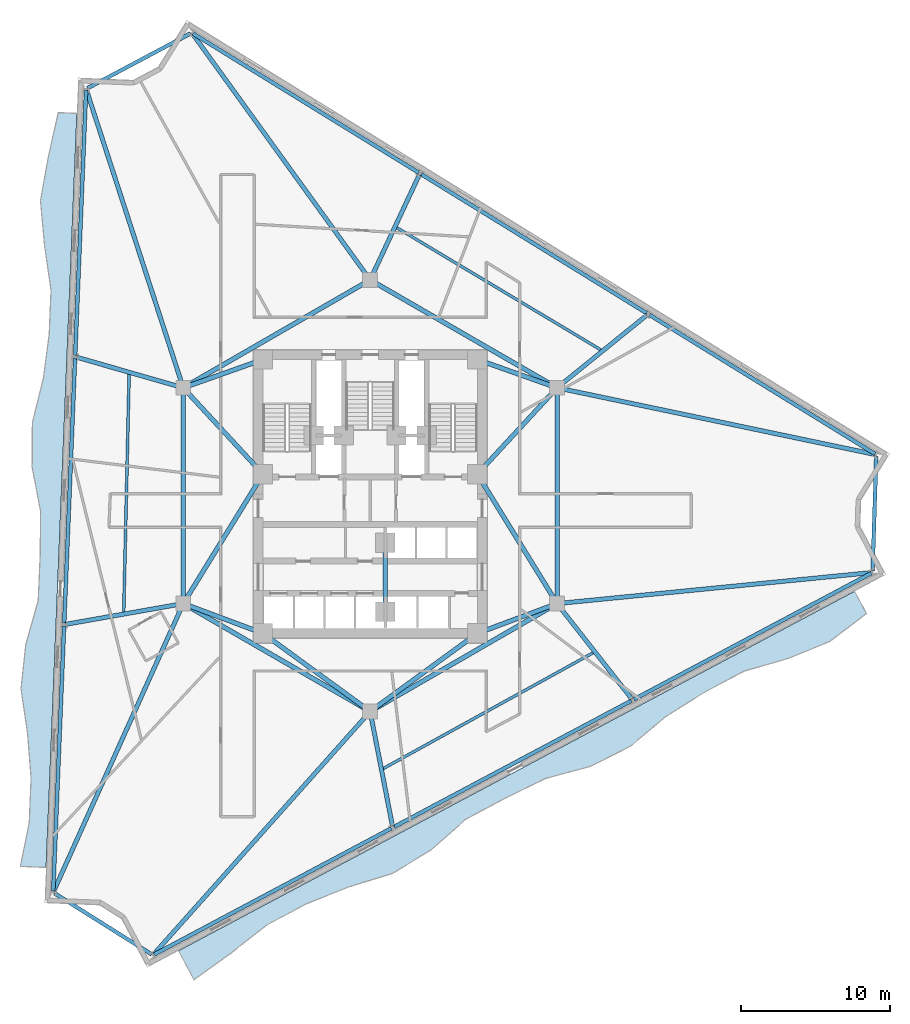
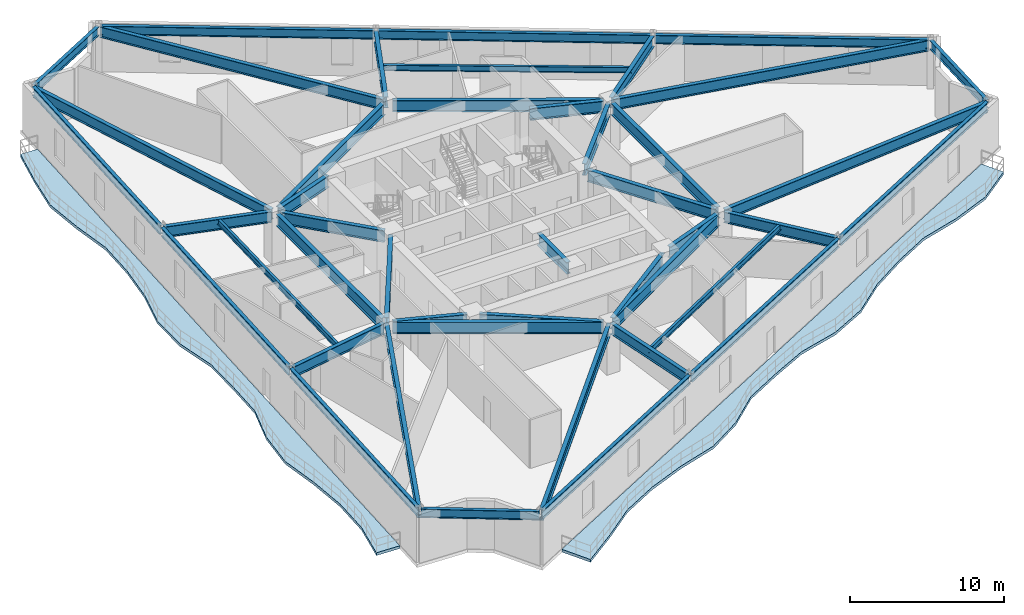
# One storey, part 3 of 11: 44 beams, 2 slabs.
"""IFC4 building model written with IfcOpenShell, lengths in metres."""

from ifc_helpers import new_model, si_unit, direction, frame, origin, origin_2d, place, context, subcontext, project, spatial, polyline, i_section, outline, extrude, material, layer, layer_set, material_profile, profile_set, type_object, element, save


model = new_model("IFC4")

# Units and contexts
model_context = context("Model", 3, precision=1e-05, world=origin(), true_north=direction((0.0, 1.0)))
body_context = subcontext(model_context, "Body", "Model", "MODEL_VIEW")
ifc_project = project(units=[si_unit("LENGTHUNIT", "METRE"), si_unit("AREAUNIT", "SQUARE_METRE"), si_unit("VOLUMEUNIT", "CUBIC_METRE"), si_unit("PLANEANGLEUNIT", "RADIAN"), si_unit("MASSUNIT", "GRAM", prefix="KILO")], contexts=[model_context])

# Site, building, storey
site_placement = place(None, origin())
site = spatial("IfcSite", under=ifc_project, at=site_placement, CompositionType="ELEMENT")
building_placement = place(site_placement, origin())
building = spatial("IfcBuilding", under=site, at=building_placement, Name="Apsidion Concourse Tower", CompositionType="ELEMENT")
storey_placement = place(building_placement, frame((0.0, 0.0, 169.60009765625)))
storey = spatial("IfcBuildingStorey", under=building, at=storey_placement, Name="L39", CompositionType="ELEMENT", Elevation=169.60009765625)

# Beams
ifc_material_1 = material(Name="Structural steel ASTM A992 Grade 50", Category="steel")
ifc_material_profile_1 = material_profile(ifc_material_1, i_section(OverallWidth=0.19091796875, OverallDepth=0.45703125, WebThickness=0.009033203125, FlangeThickness=0.014404296875, at=origin_2d()), Name="W18X50")
ifc_profile_set_1 = profile_set([ifc_material_profile_1], Name="Structural steel ASTM A992 Grade 50")
beam_type_1 = type_object("IfcBeamType", Name="BM-FL-W18", PredefinedType="BEAM", material=ifc_profile_set_1)
beam_1_placement = place(storey_placement, frame((-16.192138671875, 8.29248046875, 3.621337890625), z_axis=(-0.022697860677, -0.999742370374, 0.0), x_axis=(0.999742370374, -0.022697860677, 0.0)))
element("IfcBeam", 1, at=beam_1_placement, inside=storey, type_object=beam_type_1, Name="L39 Secondary Floor Beam SEC-F1", PredefinedType="BEAM", context=body_context, shape_type="SweptSolid", body=[
    extrude(i_section(OverallWidth=0.19091796875, OverallDepth=0.45703125, WebThickness=0.009033203125, FlangeThickness=0.014404296875, at=origin_2d()), origin(), (0.0, 0.0, 1.0), 16.25244140625),
])
beam_2_placement = place(storey_placement, frame((0.760009765625, -18.40087890625, 3.621337890625), z_axis=(0.87560616621, 0.483025715355, 0.0), x_axis=(-0.483025715355, 0.87560616621, 0.0)))
element("IfcBeam", 2, at=beam_2_placement, inside=storey, type_object=beam_type_1, Name="L39 Secondary Floor Beam SEC-F2", PredefinedType="BEAM", context=body_context, shape_type="SweptSolid", body=[
    extrude(i_section(OverallWidth=0.19091796875, OverallDepth=0.45703125, WebThickness=0.009033203125, FlangeThickness=0.014404296875, at=origin_2d()), origin(), (0.0, 0.0, 1.0), 16.376708984375),
])
beam_3_placement = place(storey_placement, frame((15.619384765625, 9.7265625, 3.621337890625), z_axis=(-0.85795243344, 0.513729132865, 0.0), x_axis=(-0.513729132865, -0.85795243344, 0.0)))
element("IfcBeam", 3, at=beam_3_placement, inside=storey, type_object=beam_type_1, Name="L39 Secondary Floor Beam SEC-F3", PredefinedType="BEAM", context=body_context, shape_type="SweptSolid", body=[
    extrude(i_section(OverallWidth=0.19091796875, OverallDepth=0.45703125, WebThickness=0.009033203125, FlangeThickness=0.014404296875, at=origin_2d()), origin(), (0.0, 0.0, 1.0), 16.25537109375),
])
ifc_material_profile_2 = material_profile(ifc_material_1, i_section(OverallWidth=0.2919921875, OverallDepth=0.85888671875, WebThickness=0.01708984375, FlangeThickness=0.031005859375, at=origin_2d()), Name="W33X169")
ifc_profile_set_2 = profile_set([ifc_material_profile_2], Name="Structural steel ASTM A992 Grade 50")
beam_type_2 = type_object("IfcBeamType", Name="BM-G-W33", PredefinedType="USERDEFINED", material=ifc_profile_set_2)
beam_4_placement = place(storey_placement, frame((-12.6279296875, 7.459228515625, 3.42041015625), z_axis=(-0.309075984528, 0.95103734721, 0.0), x_axis=(-0.95103734721, -0.309075984528, 0.0)))
element("IfcBeam", 4, at=beam_4_placement, inside=storey, type_object=beam_type_2, Name="L39 Radial Floor Girder RAD-01", ObjectType="GIRDER", PredefinedType="USERDEFINED", context=body_context, shape_type="SweptSolid", body=[
    extrude(i_section(OverallWidth=0.2919921875, OverallDepth=0.85888671875, WebThickness=0.01708984375, FlangeThickness=0.031005859375, at=origin_2d()), origin(), (0.0, 0.0, 1.0), 20.794921875),
])
beam_5_placement = place(storey_placement, frame((-12.771484375, 7.310791015625, 3.42041015625), z_axis=(-0.961194838859, 0.275870407531, 0.0), x_axis=(-0.275870407531, -0.961194838859, 0.0)))
element("IfcBeam", 5, at=beam_5_placement, inside=storey, type_object=beam_type_2, Name="L39 Radial Floor Girder RAD-02", ObjectType="GIRDER", PredefinedType="USERDEFINED", context=body_context, shape_type="SweptSolid", body=[
    extrude(i_section(OverallWidth=0.2919921875, OverallDepth=0.85888671875, WebThickness=0.01708984375, FlangeThickness=0.031005859375, at=origin_2d()), origin(), (0.0, 0.0, 1.0), 7.2373046875),
])
beam_6_placement = place(storey_placement, frame((-12.776611328125, -7.2880859375, 3.42041015625), z_axis=(-0.9848005578, -0.173688978798, 0.0), x_axis=(0.173688978798, -0.9848005578, 0.0)))
element("IfcBeam", 6, at=beam_6_placement, inside=storey, type_object=beam_type_2, Name="L39 Radial Floor Girder RAD-03", ObjectType="GIRDER", PredefinedType="USERDEFINED", context=body_context, shape_type="SweptSolid", body=[
    extrude(i_section(OverallWidth=0.2919921875, OverallDepth=0.85888671875, WebThickness=0.01708984375, FlangeThickness=0.031005859375, at=origin_2d()), origin(), (0.0, 0.0, 1.0), 7.805419921875),
])
beam_7_placement = place(storey_placement, frame((-12.650390625, -7.45068359375, 3.42041015625), z_axis=(-0.410615485001, -0.911808600243, 0.0), x_axis=(0.911808600243, -0.410615485001, 0.0)))
element("IfcBeam", 7, at=beam_7_placement, inside=storey, type_object=beam_type_2, Name="L39 Radial Floor Girder RAD-04", ObjectType="GIRDER", PredefinedType="USERDEFINED", context=body_context, shape_type="SweptSolid", body=[
    extrude(i_section(OverallWidth=0.2919921875, OverallDepth=0.85888671875, WebThickness=0.01708984375, FlangeThickness=0.031005859375, at=origin_2d()), origin(), (0.0, 0.0, 1.0), 20.964599609375),
])
beam_8_placement = place(storey_placement, frame((-0.146484375, -14.664306640625, 3.42041015625), z_axis=(-0.665534428073, -0.746367151642, 0.0), x_axis=(0.746367151642, -0.665534428073, 0.0)))
element("IfcBeam", 8, at=beam_8_placement, inside=storey, type_object=beam_type_2, Name="L39 Radial Floor Girder RAD-05", ObjectType="GIRDER", PredefinedType="USERDEFINED", context=body_context, shape_type="SweptSolid", body=[
    extrude(i_section(OverallWidth=0.2919921875, OverallDepth=0.85888671875, WebThickness=0.01708984375, FlangeThickness=0.031005859375, at=origin_2d()), origin(), (0.0, 0.0, 1.0), 21.616455078125),
])
beam_9_placement = place(storey_placement, frame((0.0419921875, -14.7158203125, 3.42041015625), z_axis=(0.191214845848, -0.981548207032, 0.0), x_axis=(0.981548207032, 0.191214845848, 0.0)))
element("IfcBeam", 9, at=beam_9_placement, inside=storey, type_object=beam_type_2, Name="L39 Radial Floor Girder RAD-06", ObjectType="GIRDER", PredefinedType="USERDEFINED", context=body_context, shape_type="SweptSolid", body=[
    extrude(i_section(OverallWidth=0.2919921875, OverallDepth=0.85888671875, WebThickness=0.01708984375, FlangeThickness=0.031005859375, at=origin_2d()), origin(), (0.0, 0.0, 1.0), 7.62890625),
])
beam_10_placement = place(storey_placement, frame((12.69580078125, -7.423095703125, 3.42041015625), z_axis=(0.616838796002, -0.787089511902, 0.0), x_axis=(0.787089511902, 0.616838796002, 0.0)))
element("IfcBeam", 10, at=beam_10_placement, inside=storey, type_object=beam_type_2, Name="L39 Radial Floor Girder RAD-07", ObjectType="GIRDER", PredefinedType="USERDEFINED", context=body_context, shape_type="SweptSolid", body=[
    extrude(i_section(OverallWidth=0.2919921875, OverallDepth=0.85888671875, WebThickness=0.01708984375, FlangeThickness=0.031005859375, at=origin_2d()), origin(), (0.0, 0.0, 1.0), 7.914306640625),
])
beam_11_placement = place(storey_placement, frame((12.77880859375, -7.228515625, 3.42041015625), z_axis=(0.995176296258, 0.098102698054, 0.0), x_axis=(-0.098102698054, 0.995176296258, 0.0)))
element("IfcBeam", 11, at=beam_11_placement, inside=storey, type_object=beam_type_2, Name="L39 Radial Floor Girder RAD-08", ObjectType="GIRDER", PredefinedType="USERDEFINED", context=body_context, shape_type="SweptSolid", body=[
    extrude(i_section(OverallWidth=0.2919921875, OverallDepth=0.85888671875, WebThickness=0.01708984375, FlangeThickness=0.031005859375, at=origin_2d()), origin(), (0.0, 0.0, 1.0), 20.981689453125),
])
beam_12_placement = place(storey_placement, frame((12.775390625, 7.204833984375, 3.42041015625), z_axis=(0.978712115689, -0.20523789758, 0.0), x_axis=(0.20523789758, 0.978712115689, 0.0)))
element("IfcBeam", 12, at=beam_12_placement, inside=storey, type_object=beam_type_2, Name="L39 Radial Floor Girder RAD-09", ObjectType="GIRDER", PredefinedType="USERDEFINED", context=body_context, shape_type="SweptSolid", body=[
    extrude(i_section(OverallWidth=0.2919921875, OverallDepth=0.85888671875, WebThickness=0.01708984375, FlangeThickness=0.031005859375, at=origin_2d()), origin(), (0.0, 0.0, 1.0), 21.597412109375),
])
beam_13_placement = place(storey_placement, frame((12.73095703125, 7.388427734375, 3.42041015625), z_axis=(0.777235083984, 0.629210317958, 0.0), x_axis=(-0.629210317958, 0.777235083984, 0.0)))
element("IfcBeam", 13, at=beam_13_placement, inside=storey, type_object=beam_type_2, Name="L39 Radial Floor Girder RAD-10", ObjectType="GIRDER", PredefinedType="USERDEFINED", context=body_context, shape_type="SweptSolid", body=[
    extrude(i_section(OverallWidth=0.2919921875, OverallDepth=0.85888671875, WebThickness=0.01708984375, FlangeThickness=0.031005859375, at=origin_2d()), origin(), (0.0, 0.0, 1.0), 7.55224609375),
])
beam_14_placement = place(storey_placement, frame((0.09326171875, 14.69921875, 3.42041015625), z_axis=(0.423634804892, 0.905833070761, 0.0), x_axis=(-0.905833070761, 0.423634804892, 0.0)))
element("IfcBeam", 14, at=beam_14_placement, inside=storey, type_object=beam_type_2, Name="L39 Radial Floor Girder RAD-11", ObjectType="GIRDER", PredefinedType="USERDEFINED", context=body_context, shape_type="SweptSolid", body=[
    extrude(i_section(OverallWidth=0.2919921875, OverallDepth=0.85888671875, WebThickness=0.01708984375, FlangeThickness=0.031005859375, at=origin_2d()), origin(), (0.0, 0.0, 1.0), 7.578857421875),
])
beam_15_placement = place(storey_placement, frame((-0.12890625, 14.678466796875, 3.42041015625), z_axis=(-0.58524513155, 0.810856421321, 0.0), x_axis=(-0.810856421321, -0.58524513155, 0.0)))
element("IfcBeam", 15, at=beam_15_placement, inside=storey, type_object=beam_type_2, Name="L39 Radial Floor Girder RAD-12", ObjectType="GIRDER", PredefinedType="USERDEFINED", context=body_context, shape_type="SweptSolid", body=[
    extrude(i_section(OverallWidth=0.2919921875, OverallDepth=0.85888671875, WebThickness=0.01708984375, FlangeThickness=0.031005859375, at=origin_2d()), origin(), (0.0, 0.0, 1.0), 20.16015625),
])
ifc_material_profile_3 = material_profile(ifc_material_1, i_section(OverallWidth=0.31005859375, OverallDepth=0.931884765625, WebThickness=0.02099609375, FlangeThickness=0.034423828125, at=origin_2d()), Name="W36X210")
ifc_profile_set_3 = profile_set([ifc_material_profile_3], Name="Structural steel ASTM A992 Grade 50")
beam_type_3 = type_object("IfcBeamType", Name="BM-G-W36", PredefinedType="USERDEFINED", material=ifc_profile_set_3)
beam_16_placement = place(storey_placement, frame((-12.185302734375, -7.389892578125, 3.3837890625), z_axis=(0.936913021145, -0.349562570664, 0.0), x_axis=(0.349562570664, 0.936913021145, 0.0)))
element("IfcBeam", 16, at=beam_16_placement, inside=storey, type_object=beam_type_3, Name="L39 Core Coupling Girder IC1-SC1", ObjectType="GIRDER", PredefinedType="USERDEFINED", context=body_context, shape_type="SweptSolid", body=[
    extrude(i_section(OverallWidth=0.31005859375, OverallDepth=0.931884765625, WebThickness=0.02099609375, FlangeThickness=0.034423828125, at=origin_2d()), origin(), (0.0, 0.0, 1.0), 4.921142578125),
])
beam_17_placement = place(storey_placement, frame((-12.35009765625, -6.909423828125, 3.3837890625), z_axis=(0.524524009763, 0.851395656074, 0.0), x_axis=(-0.851395656074, 0.524524009763, 0.0)))
element("IfcBeam", 17, at=beam_17_placement, inside=storey, type_object=beam_type_3, Name="L39 Core Coupling Girder IC1-SC6", ObjectType="GIRDER", PredefinedType="USERDEFINED", context=body_context, shape_type="SweptSolid", body=[
    extrude(i_section(OverallWidth=0.31005859375, OverallDepth=0.931884765625, WebThickness=0.02099609375, FlangeThickness=0.034423828125, at=origin_2d()), origin(), (0.0, 0.0, 1.0), 9.41845703125),
])
beam_18_placement = place(storey_placement, frame((12.185302734375, -7.389892578125, 3.3837890625), z_axis=(-0.936913021145, -0.349562570664, 0.0), x_axis=(0.349562570664, -0.936913021145, 0.0)))
element("IfcBeam", 18, at=beam_18_placement, inside=storey, type_object=beam_type_3, Name="L39 Core Coupling Girder IC2-SC2", ObjectType="GIRDER", PredefinedType="USERDEFINED", context=body_context, shape_type="SweptSolid", body=[
    extrude(i_section(OverallWidth=0.31005859375, OverallDepth=0.931884765625, WebThickness=0.02099609375, FlangeThickness=0.034423828125, at=origin_2d()), origin(), (0.0, 0.0, 1.0), 4.921142578125),
])
beam_19_placement = place(storey_placement, frame((12.35009765625, -6.909423828125, 3.3837890625), z_axis=(-0.524524009763, 0.851395656074, 0.0), x_axis=(-0.851395656074, -0.524524009763, 0.0)))
element("IfcBeam", 19, at=beam_19_placement, inside=storey, type_object=beam_type_3, Name="L39 Core Coupling Girder IC2-SC3", ObjectType="GIRDER", PredefinedType="USERDEFINED", context=body_context, shape_type="SweptSolid", body=[
    extrude(i_section(OverallWidth=0.31005859375, OverallDepth=0.931884765625, WebThickness=0.02099609375, FlangeThickness=0.034423828125, at=origin_2d()), origin(), (0.0, 0.0, 1.0), 9.41845703125),
])
beam_20_placement = place(storey_placement, frame((12.28857421875, 6.956298828125, 3.3837890625), z_axis=(-0.678712876106, -0.73440372535, 0.0), x_axis=(0.73440372535, -0.678712876106, 0.0)))
element("IfcBeam", 20, at=beam_20_placement, inside=storey, type_object=beam_type_3, Name="L39 Core Coupling Girder IC3-SC3", ObjectType="GIRDER", PredefinedType="USERDEFINED", context=body_context, shape_type="SweptSolid", body=[
    extrude(i_section(OverallWidth=0.31005859375, OverallDepth=0.931884765625, WebThickness=0.02099609375, FlangeThickness=0.034423828125, at=origin_2d()), origin(), (0.0, 0.0, 1.0), 7.097412109375),
])
beam_21_placement = place(storey_placement, frame((12.18310546875, 7.383544921875, 3.3837890625), z_axis=(-0.942533844539, 0.334110688094, 0.0), x_axis=(-0.334110688094, -0.942533844539, 0.0)))
element("IfcBeam", 21, at=beam_21_placement, inside=storey, type_object=beam_type_3, Name="L39 Core Coupling Girder IC3-SC4", ObjectType="GIRDER", PredefinedType="USERDEFINED", context=body_context, shape_type="SweptSolid", body=[
    extrude(i_section(OverallWidth=0.31005859375, OverallDepth=0.931884765625, WebThickness=0.02099609375, FlangeThickness=0.034423828125, at=origin_2d()), origin(), (0.0, 0.0, 1.0), 4.886962890625),
])
beam_22_placement = place(storey_placement, frame((-12.28857421875, 6.956298828125, 3.3837890625), z_axis=(0.678712876106, -0.73440372535, 0.0), x_axis=(0.73440372535, 0.678712876106, 0.0)))
element("IfcBeam", 22, at=beam_22_placement, inside=storey, type_object=beam_type_3, Name="L39 Core Coupling Girder IC5-SC6", ObjectType="GIRDER", PredefinedType="USERDEFINED", context=body_context, shape_type="SweptSolid", body=[
    extrude(i_section(OverallWidth=0.31005859375, OverallDepth=0.931884765625, WebThickness=0.02099609375, FlangeThickness=0.034423828125, at=origin_2d()), origin(), (0.0, 0.0, 1.0), 7.097412109375),
])
beam_23_placement = place(storey_placement, frame((-12.18310546875, 7.383544921875, 3.3837890625), z_axis=(0.942533844539, 0.334110688094, 0.0), x_axis=(-0.334110688094, 0.942533844539, 0.0)))
element("IfcBeam", 23, at=beam_23_placement, inside=storey, type_object=beam_type_3, Name="L39 Core Coupling Girder IC5-SC5", ObjectType="GIRDER", PredefinedType="USERDEFINED", context=body_context, shape_type="SweptSolid", body=[
    extrude(i_section(OverallWidth=0.31005859375, OverallDepth=0.931884765625, WebThickness=0.02099609375, FlangeThickness=0.034423828125, at=origin_2d()), origin(), (0.0, 0.0, 1.0), 4.886962890625),
])
for number, where, z_axis, x_axis, name in (
    (24, (-0.3232421875, -14.264404296875, 3.3837890625), (-0.807993498909, 0.589191399905, 0.0), (-0.589191399905, -0.807993498909, 0.0), "L39 Core Coupling Girder IC6-SC1"),
    (25, (0.3232421875, -14.264404296875, 3.3837890625), (0.807993498909, 0.589191399905, 0.0), (-0.589191399905, 0.807993498909, 0.0), "L39 Core Coupling Girder IC6-SC2"),
):
    element("IfcBeam", number, at=place(storey_placement, frame(where, z_axis=z_axis, x_axis=x_axis)), inside=storey, type_object=beam_type_3, Name=name, ObjectType="GIRDER", PredefinedType="USERDEFINED", context=body_context, shape_type="SweptSolid", body=[
        extrude(i_section(OverallWidth=0.31005859375, OverallDepth=0.931884765625, WebThickness=0.02099609375, FlangeThickness=0.034423828125, at=origin_2d()), origin(), (0.0, 0.0, 1.0), 8.11083984375),
    ])
beam_24_placement = place(storey_placement, frame((-12.56005859375, -6.85009765625, 3.3837890625), z_axis=(0.0, 1.0, 0.0), x_axis=(-1.0, 0.0, 0.0)))
element("IfcBeam", 26, at=beam_24_placement, inside=storey, type_object=beam_type_3, Name="L39 Core Coupling Girder IC1-IC5", ObjectType="GIRDER", PredefinedType="USERDEFINED", context=body_context, shape_type="SweptSolid", body=[
    extrude(i_section(OverallWidth=0.31005859375, OverallDepth=0.931884765625, WebThickness=0.02099609375, FlangeThickness=0.034423828125, at=origin_2d()), origin(), (0.0, 0.0, 1.0), 13.7001953125),
])
for number, where, z_axis, x_axis, name in (
    (27, (-12.213623046875, 7.449951171875, 3.3837890625), (0.866070471464, 0.499921932364, 0.0), (-0.499921932364, 0.866070471464, 0.0), "L39 Core Coupling Girder IC5-IC4"),
    (28, (0.346435546875, 14.300048828125, 3.3837890625), (0.866070471464, -0.499921932364, 0.0), (0.499921932364, 0.866070471464, 0.0), "L39 Core Coupling Girder IC4-IC3"),
):
    element("IfcBeam", number, at=place(storey_placement, frame(where, z_axis=z_axis, x_axis=x_axis)), inside=storey, type_object=beam_type_3, Name=name, ObjectType="GIRDER", PredefinedType="USERDEFINED", context=body_context, shape_type="SweptSolid", body=[
        extrude(i_section(OverallWidth=0.31005859375, OverallDepth=0.931884765625, WebThickness=0.02099609375, FlangeThickness=0.034423828125, at=origin_2d()), origin(), (0.0, 0.0, 1.0), 13.702392578125),
    ])
beam_25_placement = place(storey_placement, frame((12.56005859375, 6.85009765625, 3.3837890625), z_axis=(0.0, -1.0, 0.0), x_axis=(1.0, 0.0, 0.0)))
element("IfcBeam", 29, at=beam_25_placement, inside=storey, type_object=beam_type_3, Name="L39 Core Coupling Girder IC3-IC2", ObjectType="GIRDER", PredefinedType="USERDEFINED", context=body_context, shape_type="SweptSolid", body=[
    extrude(i_section(OverallWidth=0.31005859375, OverallDepth=0.931884765625, WebThickness=0.02099609375, FlangeThickness=0.034423828125, at=origin_2d()), origin(), (0.0, 0.0, 1.0), 13.7001953125),
])
for number, where, z_axis, x_axis, name in (
    (30, (12.213623046875, -7.449951171875, 3.3837890625), (-0.866070471464, -0.499921932364, 0.0), (0.499921932364, -0.866070471464, 0.0), "L39 Core Coupling Girder IC2-IC6"),
    (31, (-0.346435546875, -14.300048828125, 3.3837890625), (-0.866070471464, 0.499921932364, 0.0), (-0.499921932364, -0.866070471464, 0.0), "L39 Core Coupling Girder IC6-IC1"),
):
    element("IfcBeam", number, at=place(storey_placement, frame(where, z_axis=z_axis, x_axis=x_axis)), inside=storey, type_object=beam_type_3, Name=name, ObjectType="GIRDER", PredefinedType="USERDEFINED", context=body_context, shape_type="SweptSolid", body=[
        extrude(i_section(OverallWidth=0.31005859375, OverallDepth=0.931884765625, WebThickness=0.02099609375, FlangeThickness=0.034423828125, at=origin_2d()), origin(), (0.0, 0.0, 1.0), 13.702392578125),
    ])
beam_26_placement = place(storey_placement, frame((1.02490234375, -3.550048828125, 3.3837890625), z_axis=(0.0, -1.0, 0.0), x_axis=(1.0, 0.0, 0.0)))
element("IfcBeam", 32, at=beam_26_placement, inside=storey, type_object=beam_type_3, Name="L39 Core Coupling Girder CC5-CC6", ObjectType="GIRDER", PredefinedType="USERDEFINED", context=body_context, shape_type="SweptSolid", body=[
    extrude(i_section(OverallWidth=0.31005859375, OverallDepth=0.931884765625, WebThickness=0.02099609375, FlangeThickness=0.034423828125, at=origin_2d()), origin(), (0.0, 0.0, 1.0), 3.849853515625),
])
ifc_material_profile_4 = material_profile(ifc_material_1, i_section(OverallWidth=0.256103515625, OverallDepth=0.693115234375, WebThickness=0.014404296875, FlangeThickness=0.023681640625, at=origin_2d()), Name="W27X114")
ifc_profile_set_4 = profile_set([ifc_material_profile_4], Name="Structural steel ASTM A992 Grade 50")
beam_type_4 = type_object("IfcBeamType", Name="BM-SP-W27", PredefinedType="SPANDREL", material=ifc_profile_set_4)
beam_27_placement = place(storey_placement, frame((-19.090087890625, 27.2314453125, 3.50341796875), z_axis=(-0.040983440282, -0.999159825865, 0.0), x_axis=(0.999159825865, -0.040983440282, 0.0)))
element("IfcBeam", 33, at=beam_27_placement, inside=storey, type_object=beam_type_4, Name="L39 Perimeter Spandrel Girder SP-01", PredefinedType="SPANDREL", context=body_context, shape_type="SweptSolid", body=[
    extrude(i_section(OverallWidth=0.256103515625, OverallDepth=0.693115234375, WebThickness=0.014404296875, FlangeThickness=0.023681640625, at=origin_2d()), origin(), (0.0, 0.0, 1.0), 17.8115234375),
])
for number, where, z_axis, x_axis, name in (
    (34, (-19.828125, 9.235107421875, 3.50341796875), (-0.040970317559, -0.999160364045, 0.0), (0.999160364045, -0.040970317559, 0.0), "L39 Perimeter Spandrel Girder SP-02"),
    (35, (-20.566162109375, -8.76123046875, 3.50341796875), (-0.040970317559, -0.999160364045, 0.0), (0.999160364045, -0.040970317559, 0.0), "L39 Perimeter Spandrel Girder SP-03"),
):
    element("IfcBeam", number, at=place(storey_placement, frame(where, z_axis=z_axis, x_axis=x_axis)), inside=storey, type_object=beam_type_4, Name=name, PredefinedType="SPANDREL", context=body_context, shape_type="SweptSolid", body=[
        extrude(i_section(OverallWidth=0.256103515625, OverallDepth=0.693115234375, WebThickness=0.014404296875, FlangeThickness=0.023681640625, at=origin_2d()), origin(), (0.0, 0.0, 1.0), 17.811279296875),
    ])
beam_28_placement = place(storey_placement, frame((-21.21533203125, -26.710693359375, 3.50341796875), z_axis=(0.846430391353, -0.532499382718, 0.0), x_axis=(0.532499382718, 0.846430391353, 0.0)))
element("IfcBeam", 36, at=beam_28_placement, inside=storey, type_object=beam_type_4, Name="L39 Perimeter Spandrel Girder SP-04", PredefinedType="SPANDREL", context=body_context, shape_type="SweptSolid", body=[
    extrude(i_section(OverallWidth=0.256103515625, OverallDepth=0.693115234375, WebThickness=0.014404296875, FlangeThickness=0.023681640625, at=origin_2d()), origin(), (0.0, 0.0, 1.0), 7.71630859375),
])
beam_29_placement = place(storey_placement, frame((-14.51123046875, -30.825927734375, 3.50341796875), z_axis=(0.882942871348, 0.46948044255, 0.0), x_axis=(-0.46948044255, 0.882942871348, 0.0)))
element("IfcBeam", 37, at=beam_29_placement, inside=storey, type_object=beam_type_4, Name="L39 Perimeter Spandrel Girder SP-05", PredefinedType="SPANDREL", context=body_context, shape_type="SweptSolid", body=[
    extrude(i_section(OverallWidth=0.256103515625, OverallDepth=0.693115234375, WebThickness=0.014404296875, FlangeThickness=0.023681640625, at=origin_2d()), origin(), (0.0, 0.0, 1.0), 18.05615234375),
])
for number, where, z_axis, x_axis, name in (
    (38, (1.608154296875, -22.255126953125, 3.50341796875), (0.88294585151, 0.469474837771, 0.0), (-0.469474837771, 0.88294585151, 0.0), "L39 Perimeter Spandrel Girder SP-06"),
    (39, (17.7275390625, -13.68408203125, 3.50341796875), (0.882951456204, 0.469464296819, 0.0), (-0.469464296819, 0.882951456204, 0.0), "L39 Perimeter Spandrel Girder SP-07"),
):
    element("IfcBeam", number, at=place(storey_placement, frame(where, z_axis=z_axis, x_axis=x_axis)), inside=storey, type_object=beam_type_4, Name=name, PredefinedType="SPANDREL", context=body_context, shape_type="SweptSolid", body=[
        extrude(i_section(OverallWidth=0.256103515625, OverallDepth=0.693115234375, WebThickness=0.014404296875, FlangeThickness=0.023681640625, at=origin_2d()), origin(), (0.0, 0.0, 1.0), 18.056396484375),
    ])
beam_30_placement = place(storey_placement, frame((33.761962890625, -5.060302734375, 3.50341796875), z_axis=(0.031862000175, 0.999492277581, 0.0), x_axis=(-0.999492277581, 0.031862000175, 0.0)))
element("IfcBeam", 40, at=beam_30_placement, inside=storey, type_object=beam_type_4, Name="L39 Perimeter Spandrel Girder SP-08", PredefinedType="SPANDREL", context=body_context, shape_type="SweptSolid", body=[
    extrude(i_section(OverallWidth=0.256103515625, OverallDepth=0.693115234375, WebThickness=0.014404296875, FlangeThickness=0.023681640625, at=origin_2d()), origin(), (0.0, 0.0, 1.0), 7.716064453125),
])
for number, where, z_axis, x_axis, name in (
    (41, (33.92578125, 2.80419921875, 3.50341796875), (-0.851253326815, 0.524754965281, 0.0), (-0.524754965281, -0.851253326815, 0.0), "L39 Perimeter Spandrel Girder SP-09"),
    (42, (18.593505859375, 12.255859375, 3.50341796875), (-0.851253326815, 0.524754965281, 0.0), (-0.524754965281, -0.851253326815, 0.0), "L39 Perimeter Spandrel Girder SP-10"),
    (43, (3.26123046875, 21.70751953125, 3.50341796875), (-0.851253326815, 0.524754965281, 0.0), (-0.524754965281, -0.851253326815, 0.0), "L39 Perimeter Spandrel Girder SP-11"),
):
    element("IfcBeam", number, at=place(storey_placement, frame(where, z_axis=z_axis, x_axis=x_axis)), inside=storey, type_object=beam_type_4, Name=name, PredefinedType="SPANDREL", context=body_context, shape_type="SweptSolid", body=[
        extrude(i_section(OverallWidth=0.256103515625, OverallDepth=0.693115234375, WebThickness=0.014404296875, FlangeThickness=0.023681640625, at=origin_2d()), origin(), (0.0, 0.0, 1.0), 17.8115234375),
    ])
beam_31_placement = place(storey_placement, frame((-12.07421875, 31.059814453125, 3.50341796875), z_axis=(-0.882931431511, -0.469501956599, 0.0), x_axis=(0.469501956599, -0.882931431511, 0.0)))
element("IfcBeam", 44, at=beam_31_placement, inside=storey, type_object=beam_type_4, Name="L39 Perimeter Spandrel Girder SP-12", PredefinedType="SPANDREL", context=body_context, shape_type="SweptSolid", body=[
    extrude(i_section(OverallWidth=0.256103515625, OverallDepth=0.693115234375, WebThickness=0.014404296875, FlangeThickness=0.023681640625, at=origin_2d()), origin(), (0.0, 0.0, 1.0), 7.841552734375),
])

# Slabs
ifc_material_2 = material(Name="Concrete C50/60", Category="concrete")
ifc_layer = layer(ifc_material_2, 0.219970703125)
ifc_layer_set = layer_set([ifc_layer], Name="Concrete C50/60")
slab_type = type_object("IfcSlabType", Name="SL-BAL-220", PredefinedType="FLOOR", material=ifc_layer_set)
slab_1_placement = place(storey_placement, frame((0.0, 0.0, -0.22021484375)))
element("IfcSlab", 45, at=slab_1_placement, inside=storey, type_object=slab_type, Name="L39 Face 1 Rippling Balcony Slab", PredefinedType="FLOOR", context=body_context, shape_type="SweptSolid", body=[
    extrude(outline(polyline([(-19.7080078125, 25.690185546875), (-19.82958984375, 22.709716796875), (-19.951416015625, 19.729248046875), (-20.0732421875, 16.748779296875), (-20.19482421875, 13.768310546875), (-20.316650390625, 10.787841796875), (-20.4384765625, 7.807373046875), (-20.56005859375, 4.826904296875), (-20.681884765625, 1.84619140625), (-20.8037109375, -1.13427734375), (-20.92529296875, -4.11474609375), (-21.047119140625, -7.09521484375), (-21.168701171875, -10.07568359375), (-21.29052734375, -13.05615234375), (-21.412109375, -16.03662109375), (-21.533935546875, -19.01708984375), (-21.65576171875, -21.99755859375), (-21.777587890625, -24.97802734375), (-23.5048828125, -24.907470703125), (-22.90478515625, -21.946533203125), (-22.782958984375, -18.966064453125), (-23.021728515625, -15.970947265625), (-23.45849609375, -12.967529296875), (-23.138427734375, -9.9951171875), (-22.3037109375, -7.043701171875), (-22.17431640625, -4.063720703125), (-22.140380859375, -1.07958984375), (-22.713623046875, 1.92919921875), (-22.696533203125, 4.9140625), (-21.9609375, 7.869384765625), (-21.565673828125, 10.8388671875), (-21.44384765625, 13.8193359375), (-21.88232421875, 16.822509765625), (-22.1494140625, 19.819091796875), (-21.622802734375, 22.782958984375), (-20.956787109375, 25.7412109375), (-19.7080078125, 25.690185546875)])), origin(), (0.0, 0.0, 1.0), 0.22021484375),
])
slab_2_placement = place(storey_placement, frame((0.0, 0.0, -0.22021484375)))
element("IfcSlab", 46, at=slab_2_placement, inside=storey, type_object=slab_type, Name="L39 Face 2 Rippling Balcony Slab", PredefinedType="FLOOR", context=body_context, shape_type="SweptSolid", body=[
    extrude(outline(polyline([(-12.8740234375, -30.578369140625), (-10.2021484375, -29.15771484375), (-7.530029296875, -27.73681640625), (-4.858154296875, -26.316162109375), (-2.18603515625, -24.8955078125), (0.48583984375, -23.474609375), (3.15771484375, -22.053955078125), (5.829833984375, -20.63330078125), (8.501708984375, -19.212646484375), (11.173583984375, -17.791748046875), (13.845703125, -16.37109375), (16.517578125, -14.950439453125), (19.189697265625, -13.52978515625), (21.861572265625, -12.10888671875), (24.53369140625, -10.688232421875), (27.20556640625, -9.267578125), (29.877685546875, -7.8466796875), (32.549560546875, -6.426025390625), (33.343017578125, -7.918701171875), (30.90625, -9.781494140625), (28.092041015625, -10.9345703125), (25.120361328125, -11.7919921875), (22.448486328125, -13.212646484375), (19.8798828125, -14.82763671875), (17.51220703125, -16.821044921875), (14.810302734375, -18.18505859375), (11.811279296875, -18.99072265625), (9.088623046875, -20.316162109375), (6.420654296875, -21.74462890625), (4.087646484375, -23.802490234375), (1.501220703125, -25.384033203125), (-1.44580078125, -26.28759765625), (-4.271240234375, -27.419921875), (-6.943115234375, -28.840576171875), (-9.360595703125, -30.740234375), (-11.84130859375, -32.520751953125), (-12.8740234375, -30.578369140625)])), origin(), (0.0, 0.0, 1.0), 0.22021484375),
])

save(model, "model.ifc")
